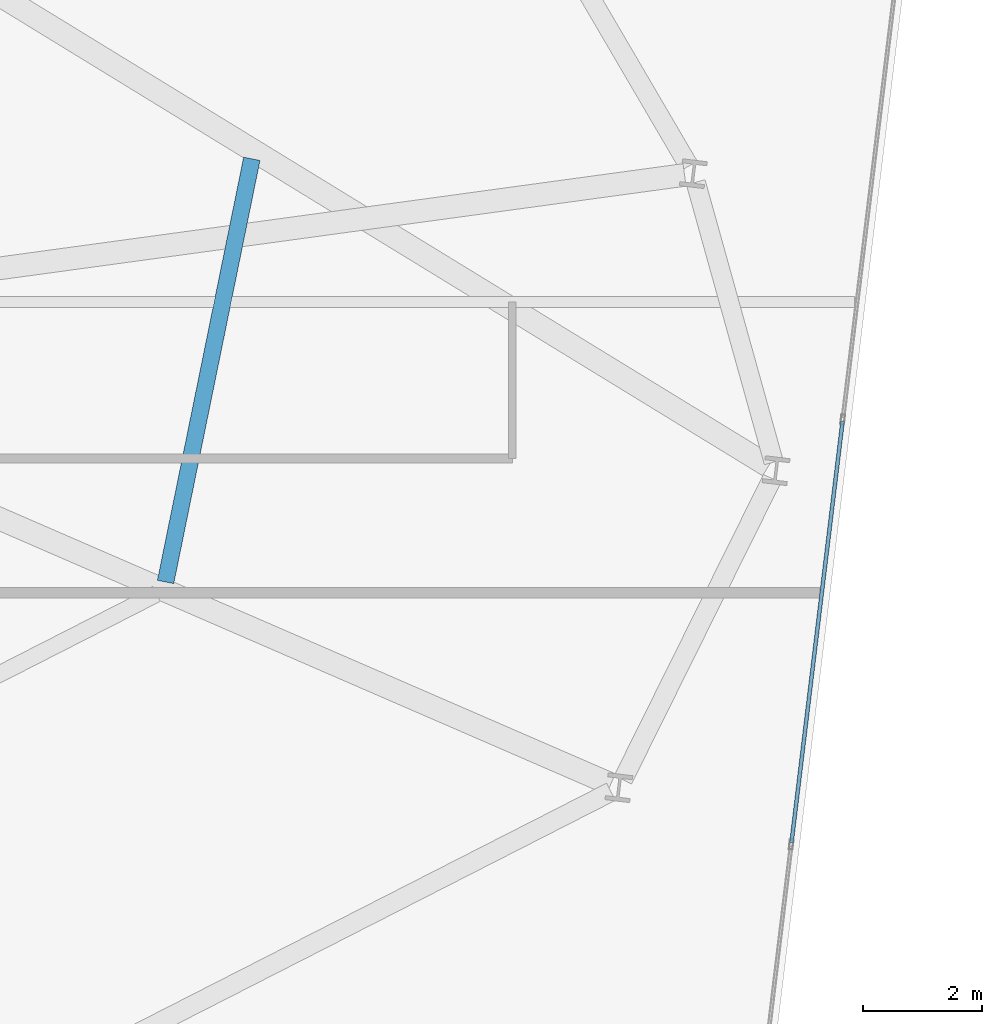
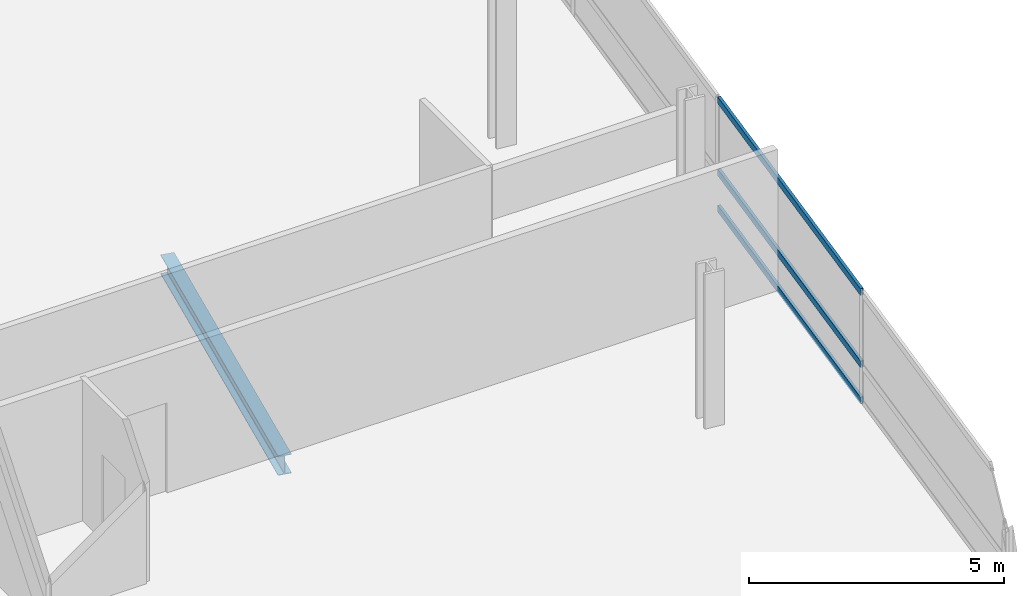
# One storey, part 15 of 26: 3 members, 1 beam, 1 element without a shape of its own.
"""IFC4 building model written with IfcOpenShell, lengths in metres."""

from ifc_helpers import new_model, si_unit, direction, frame, origin, origin_2d, place, context, subcontext, project, spatial, hollow_rectangle, i_section, extrude, material, layer, layer_set, material_profile, profile_set, type_object, element, aggregate, save


model = new_model("IFC4")

# Units and contexts
model_context = context("Model", 3, precision=1e-05, world=origin(), true_north=direction((0.0, 1.0)))
body_context = subcontext(model_context, "Body", "Model", "MODEL_VIEW")
ifc_project = project(units=[si_unit("LENGTHUNIT", "METRE"), si_unit("AREAUNIT", "SQUARE_METRE"), si_unit("VOLUMEUNIT", "CUBIC_METRE"), si_unit("PLANEANGLEUNIT", "RADIAN"), si_unit("MASSUNIT", "GRAM", prefix="KILO")], contexts=[model_context])

# Site, building, storey
site_placement = place(None, origin())
site = spatial("IfcSite", under=ifc_project, at=site_placement, CompositionType="ELEMENT")
building_placement = place(site_placement, origin())
building = spatial("IfcBuilding", under=site, at=building_placement, Name="Varnelok Gate Tower", CompositionType="ELEMENT")
storey_placement = place(building_placement, frame((0.0, 0.0, 158.699951171875)))
storey = spatial("IfcBuildingStorey", under=building, at=storey_placement, Name="L40", CompositionType="ELEMENT", Elevation=158.699951171875)

# Beam
ifc_material_1 = material(Name="Structural Steel ASTM A992 Grade 50", Category="steel")
ifc_material_profile_1 = material_profile(ifc_material_1, i_section(OverallWidth=0.280029296875, OverallDepth=0.462890625, WebThickness=0.0107421875, FlangeThickness=0.017333984375, FilletRadius=0.014892578125, at=origin_2d()), Name="W18X76")
ifc_profile_set_1 = profile_set([ifc_material_profile_1], Name="Structural Steel ASTM A992 Grade 50")
beam_type = type_object("IfcBeamType", Name="BM-JST-W18X76", PredefinedType="JOIST", material=ifc_profile_set_1)
beam_placement = place(storey_placement, frame((64.169921875, 14.533447265625, -0.4814453125), z_axis=(0.19972881556, 0.979851213315, 0.0), x_axis=(-0.979851213315, 0.19972881556, 0.0)))
element("IfcBeam", 1, at=beam_placement, inside=storey, type_object=beam_type, Name="L40 Sector Floor Joist 6", PredefinedType="JOIST", context=body_context, shape_type="SweptSolid", body=[
    extrude(i_section(OverallWidth=0.280029296875, OverallDepth=0.462890625, WebThickness=0.0107421875, FlangeThickness=0.017333984375, FilletRadius=0.014892578125, at=origin_2d()), origin(), (0.0, 0.0, 1.0), 7.261962890625),
])

# Curtain wall, members
ifc_material_2 = material(Name="Anodized Aluminum Alloy 6063-T6", Category="aluminium")
ifc_layer = layer(ifc_material_2, 0.179931640625)
ifc_layer_set = layer_set([ifc_layer], Name="Anodized Aluminum Alloy 6063-T6")
curtain_wall_type = type_object("IfcCurtainWallType", Name="CW3-HOTEL-VISION", PredefinedType="USERDEFINED", material=ifc_layer_set)
curtain_wall_placement = place(storey_placement, origin())
curtain_wall = element("IfcCurtainWall", 2, at=curtain_wall_placement, inside=storey, type_object=curtain_wall_type, Name="L40 East End Vision Curtain Wall", ObjectType="UNITISED CURTAIN WALL", PredefinedType="USERDEFINED")
ifc_material_profile_2 = material_profile(ifc_material_2, hollow_rectangle(XDim=0.06494140625, YDim=0.159912109375, WallThickness=0.00390625, at=origin_2d()), Name="ALU160X65X4")
ifc_profile_set_2 = profile_set([ifc_material_profile_2], Name="Anodized Aluminum Alloy 6063-T6")
member_type = type_object("IfcMemberType", Name="CW-TRAN-160", PredefinedType="USERDEFINED", material=ifc_profile_set_2)
member_1_placement = place(storey_placement, frame((75.553466796875, 17.23388671875, 0.032470703125), z_axis=(-0.120340564253, -0.992732667235, 0.0), x_axis=(0.992732667235, -0.120340564253, 0.0)))
member_1 = element("IfcMember", 3, at=member_1_placement, type_object=member_type, Name="CW3 transom 4.1", ObjectType="TRANSOM", PredefinedType="USERDEFINED", context=body_context, shape_type="SweptSolid", body=[
    extrude(hollow_rectangle(XDim=0.06494140625, YDim=0.159912109375, WallThickness=0.00390625, at=origin_2d()), origin(), (0.0, 0.0, 1.0), 7.135009765625),
])
member_2_placement = place(storey_placement, frame((75.553466796875, 17.23388671875, 0.900146484375), z_axis=(-0.120340564253, -0.992732667235, 0.0), x_axis=(0.992732667235, -0.120340564253, 0.0)))
member_2 = element("IfcMember", 4, at=member_2_placement, type_object=member_type, Name="CW3 transom 4.2", ObjectType="TRANSOM", PredefinedType="USERDEFINED", context=body_context, shape_type="SweptSolid", body=[
    extrude(hollow_rectangle(XDim=0.06494140625, YDim=0.159912109375, WallThickness=0.00390625, at=origin_2d()), origin(), (0.0, 0.0, 1.0), 7.135009765625),
])
member_3_placement = place(storey_placement, frame((75.553466796875, 17.23388671875, 2.62744140625), z_axis=(-0.120340564253, -0.992732667235, 0.0), x_axis=(0.992732667235, -0.120340564253, 0.0)))
member_3 = element("IfcMember", 5, at=member_3_placement, type_object=member_type, Name="CW3 transom 4.3", ObjectType="TRANSOM", PredefinedType="USERDEFINED", context=body_context, shape_type="SweptSolid", body=[
    extrude(hollow_rectangle(XDim=0.06494140625, YDim=0.159912109375, WallThickness=0.00390625, at=origin_2d()), origin(), (0.0, 0.0, 1.0), 7.135009765625),
])
aggregate(curtain_wall, [member_1, member_2, member_3])

save(model, "model.ifc")
